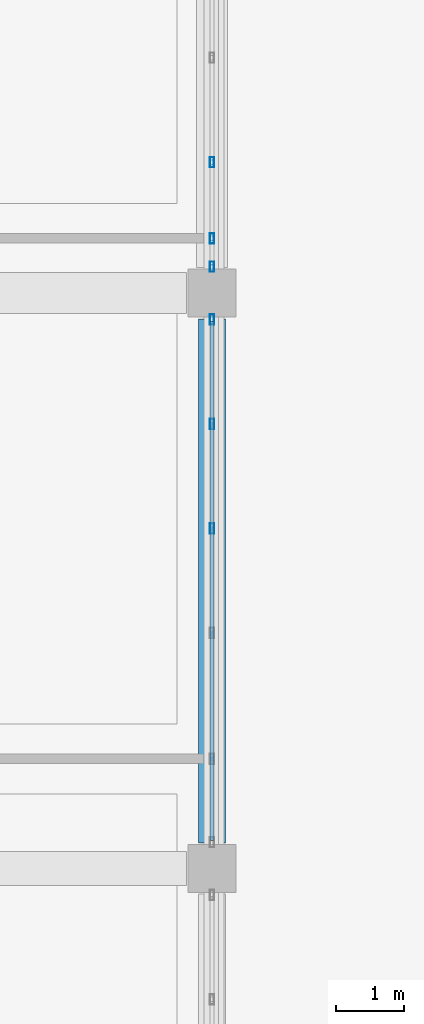
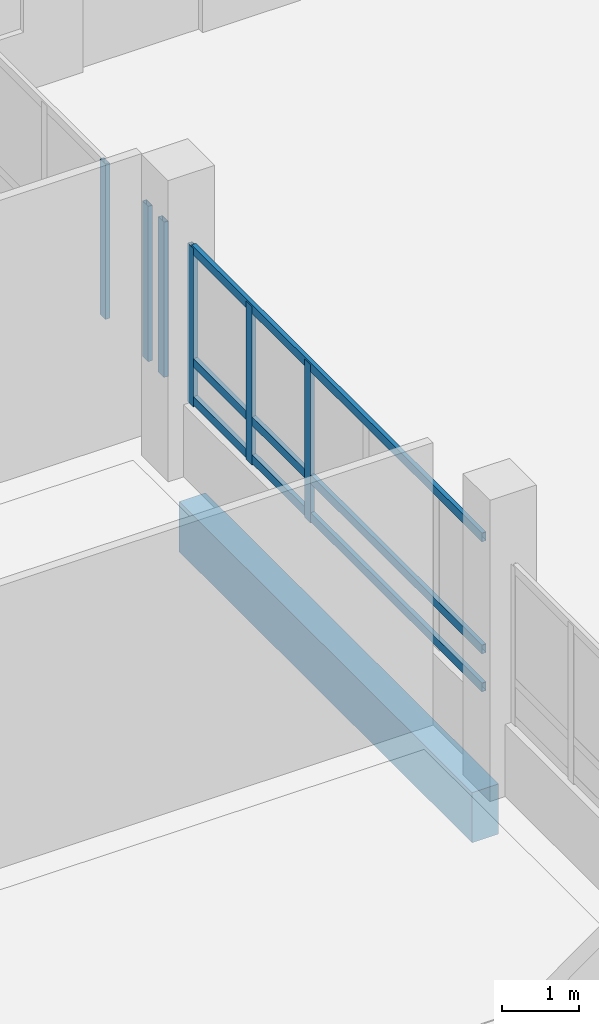
# One storey, part 43 of 95: 9 members, 1 beam, 2 elements without a shape of their own.
"""IFC4 building model written with IfcOpenShell, lengths in metres."""

from ifc_helpers import new_model, si_unit, direction, frame, origin, origin_2d, place, context, subcontext, project, spatial, rectangle, hollow_rectangle, extrude, material, layer, layer_set, material_profile, profile_set, type_object, element, aggregate, save


model = new_model("IFC4")

# Units and contexts
model_context = context("Model", 3, precision=1e-05, world=origin(), true_north=direction((0.0, 1.0)))
body_context = subcontext(model_context, "Body", "Model", "MODEL_VIEW")
ifc_project = project(units=[si_unit("LENGTHUNIT", "METRE"), si_unit("AREAUNIT", "SQUARE_METRE"), si_unit("VOLUMEUNIT", "CUBIC_METRE"), si_unit("PLANEANGLEUNIT", "RADIAN"), si_unit("MASSUNIT", "GRAM", prefix="KILO")], contexts=[model_context])

# Site, building, storey
site_placement = place(None, origin())
site = spatial("IfcSite", under=ifc_project, at=site_placement, CompositionType="ELEMENT")
building_placement = place(site_placement, origin())
building = spatial("IfcBuilding", under=site, at=building_placement, Name="Vireocrest Preparatory School", CompositionType="ELEMENT")
storey_placement = place(building_placement, origin())
storey = spatial("IfcBuildingStorey", under=building, at=storey_placement, Name="L00", CompositionType="ELEMENT", Elevation=0.0)

# Curtain wall, members
ifc_material_1 = material(Name="Thermally broken aluminium EN AW-6063-T6", Category="aluminium")
ifc_layer = layer(ifc_material_1, 0.179931640625)
ifc_layer_set = layer_set([ifc_layer], Name="Thermally broken aluminium EN AW-6063-T6")
curtain_wall_type = type_object("IfcCurtainWallType", Name="Court Banded Curtain Wall 8400x3600", PredefinedType="USERDEFINED", material=ifc_layer_set)
curtain_wall_1_placement = place(storey_placement, origin())
curtain_wall_1 = element("IfcCurtainWall", 1, at=curtain_wall_1_placement, inside=storey, type_object=curtain_wall_type, Name="Curtain Wall CW01 CW_L00_CW01_0672_0693_012", ObjectType="CURTAIN WALL", PredefinedType="USERDEFINED")
ifc_material_profile_1 = material_profile(ifc_material_1, hollow_rectangle(XDim=0.06494140625, YDim=0.14990234375, WallThickness=0.00390625, at=origin_2d()), Name="ALU 65x150x4")
ifc_profile_set_1 = profile_set([ifc_material_profile_1], Name="Thermally broken aluminium EN AW-6063-T6")
member_type_1 = type_object("IfcMemberType", Name="CW Mullion 65x150x4", PredefinedType="MULLION", material=ifc_profile_set_1)
member_1_placement = place(storey_placement, frame((67.199951171875, 73.962890625, 1.14990234375), z_axis=(0.0, 0.0, 1.0), x_axis=(1.0, 0.0, 0.0)))
member_1 = element("IfcMember", 2, at=member_1_placement, type_object=member_type_1, Name="CW Mullion ML1 CW_L00_CW01_0672_0693_012-4", PredefinedType="MULLION", context=body_context, shape_type="SweptSolid", body=[
    extrude(hollow_rectangle(XDim=0.06494140625, YDim=0.14990234375, WallThickness=0.00390625, at=origin_2d()), origin(), (0.0, 0.0, 1.0), 2.525146484375),
])
member_2_placement = place(storey_placement, frame((67.199951171875, 75.489013671875, 1.14990234375), z_axis=(0.0, 0.0, 1.0), x_axis=(1.0, 0.0, 0.0)))
member_2 = element("IfcMember", 3, at=member_2_placement, type_object=member_type_1, Name="CW Mullion ML1 CW_L00_CW01_0672_0693_012-5", PredefinedType="MULLION", context=body_context, shape_type="SweptSolid", body=[
    extrude(hollow_rectangle(XDim=0.06494140625, YDim=0.14990234375, WallThickness=0.00390625, at=origin_2d()), origin(), (0.0, 0.0, 1.0), 2.525146484375),
])
member_3_placement = place(storey_placement, frame((67.199951171875, 77.014892578125, 1.14990234375), z_axis=(0.0, 0.0, 1.0), x_axis=(1.0, 0.0, 0.0)))
member_3 = element("IfcMember", 4, at=member_3_placement, type_object=member_type_1, Name="CW Mullion ML1 CW_L00_CW01_0672_0693_012-6", PredefinedType="MULLION", context=body_context, shape_type="SweptSolid", body=[
    extrude(hollow_rectangle(XDim=0.06494140625, YDim=0.14990234375, WallThickness=0.00390625, at=origin_2d()), origin(), (0.0, 0.0, 1.0), 2.525146484375),
])

curtain_wall_2_placement = place(storey_placement, origin())
curtain_wall_2 = element("IfcCurtainWall", 5, at=curtain_wall_2_placement, inside=storey, type_object=curtain_wall_type, Name="Curtain Wall CW01 CW_L00_CW01_0672_0777_012", ObjectType="CURTAIN WALL", PredefinedType="USERDEFINED")
member_4_placement = place(storey_placement, frame((67.199951171875, 77.784912109375, 1.14990234375), z_axis=(0.0, 0.0, 1.0), x_axis=(1.0, 0.0, 0.0)))
member_4 = element("IfcMember", 6, at=member_4_placement, type_object=member_type_1, Name="CW Mullion ML1 CW_L00_CW01_0672_0777_012-1", PredefinedType="MULLION", context=body_context, shape_type="SweptSolid", body=[
    extrude(hollow_rectangle(XDim=0.06494140625, YDim=0.14990234375, WallThickness=0.00390625, at=origin_2d()), origin(), (0.0, 0.0, 1.0), 2.47509765625),
])
member_5_placement = place(storey_placement, frame((67.199951171875, 78.199951171875, 1.14990234375), z_axis=(0.0, 0.0, 1.0), x_axis=(1.0, 0.0, 0.0)))
member_5 = element("IfcMember", 7, at=member_5_placement, type_object=member_type_1, Name="CW Mullion ML1 CW_L00_CW01_0672_0777_012-2", PredefinedType="MULLION", context=body_context, shape_type="SweptSolid", body=[
    extrude(hollow_rectangle(XDim=0.06494140625, YDim=0.14990234375, WallThickness=0.00390625, at=origin_2d()), origin(), (0.0, 0.0, 1.0), 2.47509765625),
])
member_6_placement = place(storey_placement, frame((67.199951171875, 79.31103515625, 1.14990234375), z_axis=(0.0, 0.0, 1.0), x_axis=(1.0, 0.0, 0.0)))
member_6 = element("IfcMember", 8, at=member_6_placement, type_object=member_type_1, Name="CW Mullion ML1 CW_L00_CW01_0672_0777_012-3", PredefinedType="MULLION", context=body_context, shape_type="SweptSolid", body=[
    extrude(hollow_rectangle(XDim=0.06494140625, YDim=0.14990234375, WallThickness=0.00390625, at=origin_2d()), origin(), (0.0, 0.0, 1.0), 2.47509765625),
])
aggregate(curtain_wall_2, [member_4, member_5, member_6])

# Member
ifc_material_profile_2 = material_profile(ifc_material_1, hollow_rectangle(XDim=0.06494140625, YDim=0.139892578125, WallThickness=0.00390625, at=origin_2d()), Name="ALU 65x140x4")
ifc_profile_set_2 = profile_set([ifc_material_profile_2], Name="Thermally broken aluminium EN AW-6063-T6")
member_type_2 = type_object("IfcMemberType", Name="CW Transom 65x140x4", PredefinedType="USERDEFINED", material=ifc_profile_set_2)
member_7_placement = place(storey_placement, frame((67.199951171875, 69.409912109375, 1.2451171875), z_axis=(0.0, 1.0, 0.0), x_axis=(-1.0, 0.0, 0.0)))
member_7 = element("IfcMember", 9, at=member_7_placement, type_object=member_type_2, Name="CW Transom TR1 CW_L00_CW01_0672_0693_012-1", ObjectType="TRANSOM", PredefinedType="USERDEFINED", context=body_context, shape_type="SweptSolid", body=[
    extrude(hollow_rectangle(XDim=0.06494140625, YDim=0.139892578125, WallThickness=0.00390625, at=origin_2d()), origin(), (0.0, 0.0, 1.0), 7.580078125),
])

member_8_placement = place(storey_placement, frame((67.199951171875, 69.409912109375, 1.85009765625), z_axis=(0.0, 1.0, 0.0), x_axis=(-1.0, 0.0, 0.0)))
member_8 = element("IfcMember", 10, at=member_8_placement, type_object=member_type_2, Name="CW Transom TR1 CW_L00_CW01_0672_0693_012-2", ObjectType="TRANSOM", PredefinedType="USERDEFINED", context=body_context, shape_type="SweptSolid", body=[
    extrude(hollow_rectangle(XDim=0.06494140625, YDim=0.139892578125, WallThickness=0.00390625, at=origin_2d()), origin(), (0.0, 0.0, 1.0), 7.580078125),
])

member_9_placement = place(storey_placement, frame((67.199951171875, 69.409912109375, 3.635009765625), z_axis=(0.0, 1.0, 0.0), x_axis=(-1.0, 0.0, 0.0)))
member_9 = element("IfcMember", 11, at=member_9_placement, type_object=member_type_2, Name="CW Transom TR1 CW_L00_CW01_0672_0693_012-3", ObjectType="TRANSOM", PredefinedType="USERDEFINED", context=body_context, shape_type="SweptSolid", body=[
    extrude(hollow_rectangle(XDim=0.06494140625, YDim=0.139892578125, WallThickness=0.00390625, at=origin_2d()), origin(), (0.0, 0.0, 1.0), 7.580078125),
])

aggregate(curtain_wall_1, [member_1, member_2, member_3, member_7, member_8, member_9])

# Beam
ifc_material_2 = material(Name="Concrete 40 MPa", Category="concrete")
ifc_material_profile_3 = material_profile(ifc_material_2, rectangle(XDim=0.39990234375, YDim=0.800048828125, at=origin_2d()), Name="RC 400x800")
ifc_profile_set_3 = profile_set([ifc_material_profile_3], Name="Concrete 40 MPa")
beam_type = type_object("IfcBeamType", Name="RC Library Reading Girder 400x800", PredefinedType="BEAM", material=ifc_profile_set_3)
beam_placement = place(storey_placement, frame((67.199951171875, 69.375, -0.75), z_axis=(0.0, 1.0, 0.0), x_axis=(-1.0, 0.0, 0.0)))
element("IfcBeam", 12, at=beam_placement, inside=storey, type_object=beam_type, Name="Primary Girder B10 L00-0183", PredefinedType="BEAM", context=body_context, shape_type="SweptSolid", body=[
    extrude(rectangle(XDim=0.39990234375, YDim=0.800048828125, at=origin_2d()), origin(), (0.0, 0.0, 1.0), 7.64990234375),
])

save(model, "model.ifc")
